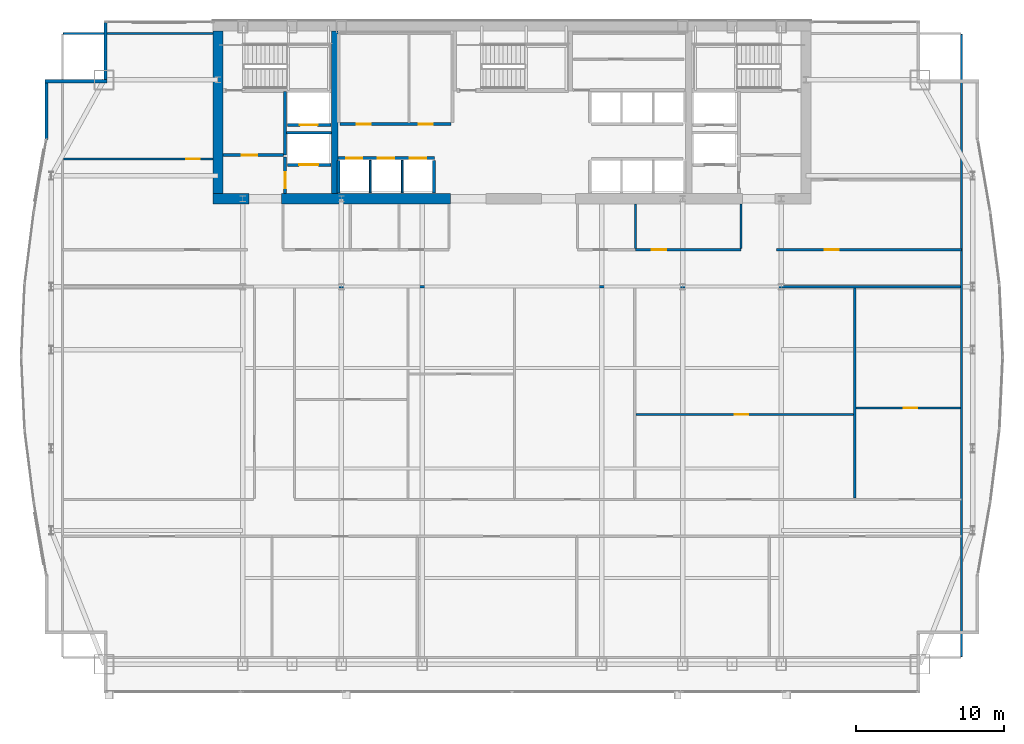
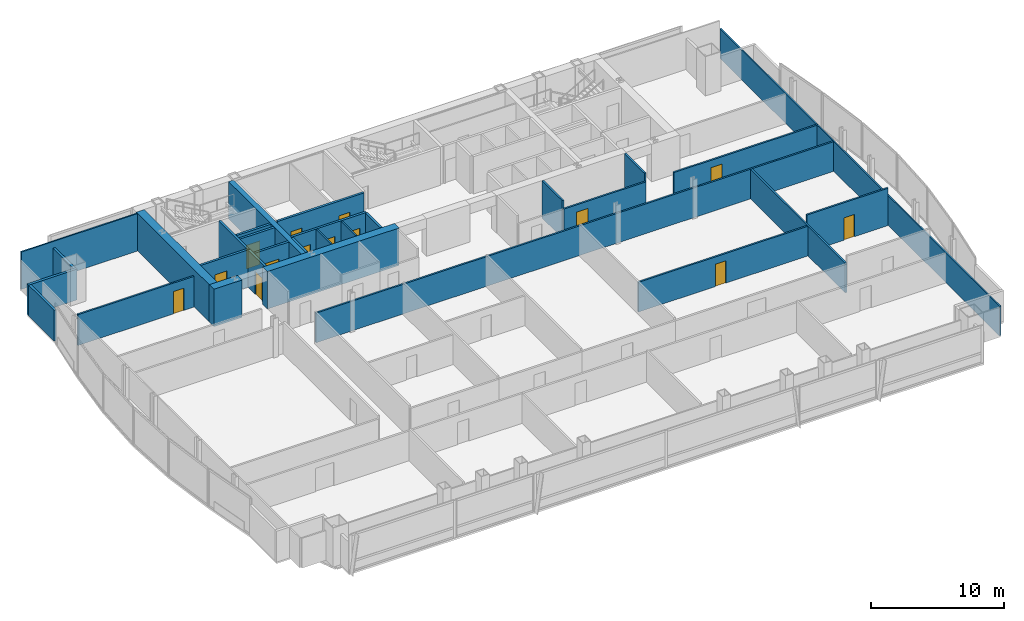
# One storey, part 25 of 29: 30 walls, 14 doors, 14 openings.
"""IFC4 building model written with IfcOpenShell, lengths in metres."""

from ifc_helpers import new_model, si_unit, direction, frame, frame_2d, origin, place, context, subcontext, project, spatial, rectangle, extrude, material, layer, layer_set, type_object, element, fill, save


model = new_model("IFC4")

# Units and contexts
model_context = context("Model", 3, precision=1e-05, world=origin(), true_north=direction((0.0, 1.0)))
body_context = subcontext(model_context, "Body", "Model", "MODEL_VIEW")
ifc_project = project(units=[si_unit("LENGTHUNIT", "METRE"), si_unit("AREAUNIT", "SQUARE_METRE"), si_unit("VOLUMEUNIT", "CUBIC_METRE"), si_unit("PLANEANGLEUNIT", "RADIAN"), si_unit("MASSUNIT", "GRAM", prefix="KILO")], contexts=[model_context])

# Site, building, storey
site_placement = place(None, origin())
site = spatial("IfcSite", under=ifc_project, at=site_placement, CompositionType="ELEMENT")
building_placement = place(site_placement, origin())
building = spatial("IfcBuilding", under=site, at=building_placement, Name="Khoronbel Lancet Exchange", CompositionType="ELEMENT")
storey_placement = place(building_placement, frame((0.0, 0.0, 150.60009765625)))
storey = spatial("IfcBuildingStorey", under=building, at=storey_placement, Name="L37", CompositionType="ELEMENT", Elevation=150.60009765625)

# Walls
ifc_material_1 = material(Name="Concrete C80/95", Category="concrete")
ifc_layer_1 = layer(ifc_material_1, 0.699951171875, Name="Concrete C80/95")
ifc_layer_set_1 = layer_set([ifc_layer_1], Name="Concrete C80/95")
wall_type_1 = type_object("IfcWallType", Name="WL-CW2", PredefinedType="SHEAR", material=ifc_layer_set_1)
wall_1_placement = place(storey_placement, frame((16.550048828125, 42.0, 0.0), z_axis=(0.0, 0.0, 1.0), x_axis=(0.0, 1.0, 0.0)))
element("IfcWall", 1, at=wall_1_placement, inside=storey, type_object=wall_type_1, Name="Level L37 rear core west shear wall", PredefinedType="SHEAR", context=body_context, shape_type="SweptSolid", body=[
    extrude(rectangle(XDim=11.0, YDim=0.699951171875, at=frame_2d((5.5, 0.0))), origin(), (0.0, 0.0, 1.0), 3.43994140625),
])
wall_2_placement = place(storey_placement, frame((18.64990234375, 41.64990234375, 0.0), z_axis=(0.0, 0.0, 1.0), x_axis=(-1.0, 0.0, 0.0)))
element("IfcWall", 2, at=wall_2_placement, inside=storey, type_object=wall_type_1, Name="Level L37 rear core south shear wall pier P1", PredefinedType="SHEAR", context=body_context, shape_type="SweptSolid", body=[
    extrude(rectangle(XDim=2.449951171875, YDim=0.699951171875, at=frame_2d((1.22509765625, 0.0))), origin(), (0.0, 0.0, 1.0), 3.43994140625),
])
wall_3_placement = place(storey_placement, frame((32.300048828125, 41.64990234375, 0.0), z_axis=(0.0, 0.0, 1.0), x_axis=(-1.0, 0.0, 0.0)))
element("IfcWall", 3, at=wall_3_placement, inside=storey, type_object=wall_type_1, Name="Level L37 rear core south shear wall pier P2", PredefinedType="SHEAR", context=body_context, shape_type="SweptSolid", body=[
    extrude(rectangle(XDim=11.449951171875, YDim=0.699951171875, at=frame_2d((5.72509765625, 0.0))), origin(), (0.0, 0.0, 1.0), 3.43994140625),
])
ifc_material_2 = material(Name="Precast concrete C40/50", Category="concrete")
ifc_layer_2 = layer(ifc_material_2, 0.25, Name="Precast concrete C40/50")
ifc_layer_set_2 = layer_set([ifc_layer_2], Name="Precast concrete C40/50")
wall_type_2 = type_object("IfcWallType", Name="WL-EXT250", PredefinedType="SOLIDWALL", material=ifc_layer_set_2)
wall_4_placement = place(storey_placement, frame((4.93994140625, 45.67236328125, 0.0), z_axis=(0.0, 0.0, 1.0), x_axis=(0.0, 1.0, 0.0)))
element("IfcWall", 4, at=wall_4_placement, inside=storey, type_object=wall_type_2, Name="Level L37 notched-corner limestone pier 10", PredefinedType="SOLIDWALL", context=body_context, shape_type="SweptSolid", body=[
    extrude(rectangle(XDim=3.82763671875, YDim=0.219970703125, at=frame_2d((1.913818359375, 0.0))), origin(), (0.0, 0.0, 1.0), 2.829833984375),
])
wall_5_placement = place(storey_placement, frame((4.830078125, 49.610107421875, 0.0), z_axis=(0.0, 0.0, 1.0), x_axis=(1.0, 0.0, 0.0)))
element("IfcWall", 5, at=wall_5_placement, inside=storey, type_object=wall_type_2, Name="Level L37 notched-corner limestone pier 11", PredefinedType="SOLIDWALL", context=body_context, shape_type="SweptSolid", body=[
    extrude(rectangle(XDim=4.219970703125, YDim=0.219970703125, at=frame_2d((2.10986328125, 0.0))), origin(), (0.0, 0.0, 1.0), 2.829833984375),
])
wall_6_placement = place(storey_placement, frame((8.93994140625, 49.719970703125, 0.0), z_axis=(0.0, 0.0, 1.0), x_axis=(0.0, 1.0, 0.0)))
element("IfcWall", 6, at=wall_6_placement, inside=storey, type_object=wall_type_2, Name="Level L37 notched-corner limestone pier 12", PredefinedType="SOLIDWALL", context=body_context, shape_type="SweptSolid", body=[
    extrude(rectangle(XDim=3.909912109375, YDim=0.219970703125, at=frame_2d((1.955078125, 0.0))), origin(), (0.0, 0.0, 1.0), 2.829833984375),
])
ifc_material_3 = material(Name="Acoustic Metal-Stud & Mineral-Wool Gypsum Partition 120 mm", Category="gypsum")
ifc_layer_3 = layer(ifc_material_3, 0.1201171875, Name="Acoustic Metal-Stud & Mineral-Wool Gypsum Partition 120 mm")
ifc_layer_set_3 = layer_set([ifc_layer_3], Name="Acoustic Metal-Stud & Mineral-Wool Gypsum Partition 120 mm")
wall_type_3 = type_object("IfcWallType", Name="WL-PRT120", PredefinedType="PARTITIONING", material=ifc_layer_set_3)
for number, where, z_axis, x_axis, name in (
    (7, (44.800048828125, 38.280029296875, 0.0), (0.0, 0.0, 1.0), (0.0, 1.0, 0.0), "Level L37 interior partition PW-NP-M"),
    (8, (51.949951171875, 38.280029296875, 0.0), (0.0, 0.0, 1.0), (0.0, 1.0, 0.0), "Level L37 interior partition PW-NP-1"),
):
    element("IfcWall", number, at=place(storey_placement, frame(where, z_axis=z_axis, x_axis=x_axis)), inside=storey, type_object=wall_type_3, Name=name, PredefinedType="PARTITIONING", context=body_context, shape_type="SweptSolid", body=[
        extrude(rectangle(XDim=3.02001953125, YDim=0.14990234375, at=frame_2d((1.510009765625, 0.0))), origin(), (0.0, 0.0, 1.0), 3.43994140625),
    ])

# Wall, opening, door
wall_7_placement = place(storey_placement, frame((6.094970703125, 44.35009765625, 0.0), z_axis=(0.0, 0.0, 1.0), x_axis=(1.0, 0.0, 0.0)))
wall_7 = element("IfcWall", 9, at=wall_7_placement, inside=storey, type_object=wall_type_3, Name="Level L37 interior partition PW-NW-H", PredefinedType="PARTITIONING", context=body_context, shape_type="SweptSolid", body=[
    extrude(rectangle(XDim=10.10498046875, YDim=0.14990234375, at=frame_2d((5.052490234375, 0.0))), origin(), (0.0, 0.0, 1.0), 2.829833984375),
])
opening_1_placement = place(wall_7_placement, frame((8.320068359375, 0.0, 0.0)))
opening_1 = element("IfcOpeningElement", 10, at=opening_1_placement, cuts=wall_7, Name="Opening D5", PredefinedType="OPENING", context=body_context, shape_type="SweptSolid", body=[
    extrude(rectangle(XDim=0.89990234375, YDim=2.050048828125, at=frame_2d((0.449951171875, 1.02490234375))), frame((0.0, 0.0849609375, 0.0), z_axis=(0.0, -1.0, 0.0), x_axis=(1.0, 0.0, 0.0)), (0.0, 0.0, 1.0), 0.169921875),
])
ifc_material_4 = material(Name="Acoustic Timber Pantry & Support Door", Category="wood")
door_type_1 = type_object("IfcDoorType", Name="DR-D5", OperationType="NOTDEFINED", PredefinedType="DOOR", material=ifc_material_4)
door_1_placement = place(opening_1_placement, origin())
door_1 = element("IfcDoor", 11, at=door_1_placement, inside=storey, type_object=door_type_1, Name="NW north room door L37-1", OperationType="SINGLE_SWING_RIGHT", OverallHeight=2.050048828125, OverallWidth=0.89990234375, PredefinedType="DOOR", context=body_context, shape_type="SweptSolid", body=[
    extrude(rectangle(XDim=0.89990234375, YDim=2.050048828125, at=frame_2d((0.449951171875, 1.02490234375))), frame((0.0, 0.02490234375, 0.0), z_axis=(0.0, -1.0, 0.0), x_axis=(1.0, 0.0, 0.0)), (0.0, 0.0, 1.0), 0.050048828125),
])
fill(opening_1, door_1)

wall_8_placement = place(storey_placement, frame((44.831298828125, 27.06005859375, 0.0), z_axis=(0.0, 0.0, 1.0), x_axis=(1.0, 0.0, 0.0)))
wall_8 = element("IfcWall", 12, at=wall_8_placement, inside=storey, type_object=wall_type_3, Name="Level L37 interior partition PW-Z2N-H4", PredefinedType="PARTITIONING", context=body_context, shape_type="SweptSolid", body=[
    extrude(rectangle(XDim=14.736328125, YDim=0.14990234375, at=frame_2d((7.3681640625, 0.0))), origin(), (0.0, 0.0, 1.0), 2.72998046875),
])
opening_2_placement = place(wall_8_placement, frame((6.703369140625, 0.0, 0.0)))
opening_2 = element("IfcOpeningElement", 13, at=opening_2_placement, cuts=wall_8, Name="Opening D5", PredefinedType="OPENING", context=body_context, shape_type="SweptSolid", body=[
    extrude(rectangle(XDim=0.89990234375, YDim=2.050048828125, at=frame_2d((0.449951171875, 1.02490234375))), frame((0.0, 0.0849609375, 0.0), z_axis=(0.0, -1.0, 0.0), x_axis=(1.0, 0.0, 0.0)), (0.0, 0.0, 1.0), 0.169921875),
])
door_2_placement = place(opening_2_placement, origin())
door_2 = element("IfcDoor", 14, at=door_2_placement, inside=storey, type_object=door_type_1, Name="Z2N inner door 4 L37-1", OperationType="SINGLE_SWING_RIGHT", OverallHeight=2.050048828125, OverallWidth=0.89990234375, PredefinedType="DOOR", context=body_context, shape_type="SweptSolid", body=[
    extrude(rectangle(XDim=0.89990234375, YDim=2.050048828125, at=frame_2d((0.449951171875, 1.02490234375))), frame((0.0, 0.02490234375, 0.0), z_axis=(0.0, -1.0, 0.0), x_axis=(1.0, 0.0, 0.0)), (0.0, 0.0, 1.0), 0.050048828125),
])
fill(opening_2, door_2)

wall_9_placement = place(storey_placement, frame((59.7275390625, 27.491943359375, 0.0), z_axis=(0.0, 0.0, 1.0), x_axis=(1.0, 0.0, 0.0)))
wall_9 = element("IfcWall", 15, at=wall_9_placement, inside=storey, type_object=wall_type_3, Name="Level L37 interior partition PW-Z2N-H5", PredefinedType="PARTITIONING", context=body_context, shape_type="SweptSolid", body=[
    extrude(rectangle(XDim=7.077392578125, YDim=0.14990234375, at=frame_2d((3.53857421875, 0.0))), origin(), (0.0, 0.0, 1.0), 3.43994140625),
])
opening_3_placement = place(wall_9_placement, frame((3.25, 0.0, 0.0)))
opening_3 = element("IfcOpeningElement", 16, at=opening_3_placement, cuts=wall_9, Name="Opening D5", PredefinedType="OPENING", context=body_context, shape_type="SweptSolid", body=[
    extrude(rectangle(XDim=0.89990234375, YDim=2.050048828125, at=frame_2d((0.449951171875, 1.02490234375))), frame((0.0, 0.0849609375, 0.0), z_axis=(0.0, -1.0, 0.0), x_axis=(1.0, 0.0, 0.0)), (0.0, 0.0, 1.0), 0.169921875),
])
door_3_placement = place(opening_3_placement, origin())
door_3 = element("IfcDoor", 17, at=door_3_placement, inside=storey, type_object=door_type_1, Name="Z2N inner door 5 L37-1", OperationType="SINGLE_SWING_RIGHT", OverallHeight=2.050048828125, OverallWidth=0.89990234375, PredefinedType="DOOR", context=body_context, shape_type="SweptSolid", body=[
    extrude(rectangle(XDim=0.89990234375, YDim=2.050048828125, at=frame_2d((0.449951171875, 1.02490234375))), frame((0.0, 0.02490234375, 0.0), z_axis=(0.0, -1.0, 0.0), x_axis=(1.0, 0.0, 0.0)), (0.0, 0.0, 1.0), 0.050048828125),
])
fill(opening_3, door_3)

# Walls
wall_10_placement = place(storey_placement, frame((66.8701171875, 10.6650390625, 0.0), z_axis=(0.0, 0.0, 1.0), x_axis=(0.0, 1.0, 0.0)))
element("IfcWall", 18, at=wall_10_placement, inside=storey, type_object=wall_type_3, Name="Level L37 interior partition PW-LIN-E", PredefinedType="PARTITIONING", context=body_context, shape_type="SweptSolid", body=[
    extrude(rectangle(XDim=42.10986328125, YDim=0.1201171875, at=frame_2d((21.054931640625, 0.0))), origin(), (0.0, 0.0, 1.0), 2.72998046875),
])
wall_11_placement = place(storey_placement, frame((6.094970703125, 52.840087890625, 0.0), z_axis=(0.0, 0.0, 1.0), x_axis=(1.0, 0.0, 0.0)))
element("IfcWall", 19, at=wall_11_placement, inside=storey, type_object=wall_type_3, Name="Level L37 interior partition PW-LIN-NW", PredefinedType="PARTITIONING", context=body_context, shape_type="SweptSolid", body=[
    extrude(rectangle(XDim=10.10498046875, YDim=0.1201171875, at=frame_2d((5.052490234375, 0.0))), origin(), (0.0, 0.0, 1.0), 3.43994140625),
])
ifc_material_5 = material(Name="Fire-Rated Metal-Stud & Mineral-Wool Gypsum Partition 120 mm", Category="gypsum")
ifc_layer_4 = layer(ifc_material_5, 0.1201171875, Name="Fire-Rated Metal-Stud & Mineral-Wool Gypsum Partition 120 mm")
ifc_layer_set_4 = layer_set([ifc_layer_4], Name="Fire-Rated Metal-Stud & Mineral-Wool Gypsum Partition 120 mm")
wall_type_4 = type_object("IfcWallType", Name="WL-PRT120F", PredefinedType="PARTITIONING", material=ifc_layer_set_4)
for number, where, z_axis, x_axis, name in (
    (20, (26.860107421875, 42.050048828125, 0.0), (0.0, 0.0, 1.0), (0.0, 1.0, 0.0), "Level L37 interior partition CW-PM-D1"),
    (21, (29.02001953125, 42.050048828125, 0.0), (0.0, 0.0, 1.0), (0.0, 1.0, 0.0), "Level L37 interior partition CW-PM-D2"),
):
    element("IfcWall", number, at=place(storey_placement, frame(where, z_axis=z_axis, x_axis=x_axis)), inside=storey, type_object=wall_type_4, Name=name, PredefinedType="PARTITIONING", context=body_context, shape_type="SweptSolid", body=[
        extrude(rectangle(XDim=2.199951171875, YDim=0.1201171875, at=frame_2d((1.10009765625, 0.0))), origin(), (0.0, 0.0, 1.0), 3.43994140625),
    ])

# Wall, opening, door
ifc_material_6 = material(Name="Fire-Rated Twin-Stud Acoustic Gypsum Partition 150 mm", Category="gypsum")
ifc_layer_5 = layer(ifc_material_6, 0.14990234375, Name="Fire-Rated Twin-Stud Acoustic Gypsum Partition 150 mm")
ifc_layer_set_5 = layer_set([ifc_layer_5], Name="Fire-Rated Twin-Stud Acoustic Gypsum Partition 150 mm")
wall_type_5 = type_object("IfcWallType", Name="WL-PRT150C", PredefinedType="PARTITIONING", material=ifc_layer_set_5)
wall_12_placement = place(storey_placement, frame((44.800048828125, 38.199951171875, 0.0), z_axis=(0.0, 0.0, 1.0), x_axis=(1.0, 0.0, 0.0)))
wall_12 = element("IfcWall", 22, at=wall_12_placement, inside=storey, type_object=wall_type_5, Name="Level L37 interior partition PW-NP-S2", PredefinedType="PARTITIONING", context=body_context, shape_type="SweptSolid", body=[
    extrude(rectangle(XDim=7.14990234375, YDim=0.14990234375, at=frame_2d((3.574951171875, 0.0))), origin(), (0.0, 0.0, 1.0), 2.72998046875),
])
opening_4_placement = place(wall_12_placement, frame((1.10009765625, 0.0, 0.0)))
opening_4 = element("IfcOpeningElement", 23, at=opening_4_placement, cuts=wall_12, Name="Opening D2", PredefinedType="OPENING", context=body_context, shape_type="SweptSolid", body=[
    extrude(rectangle(XDim=1.0, YDim=2.050048828125, at=frame_2d((0.5, 1.02490234375))), frame((0.0, 0.0849609375, 0.0), z_axis=(0.0, -1.0, 0.0), x_axis=(1.0, 0.0, 0.0)), (0.0, 0.0, 1.0), 0.169921875),
])
ifc_material_7 = material(Name="Acoustic Veneered Timber & Bronze Frame Door", Category="wood")
door_type_2 = type_object("IfcDoorType", Name="DR-D2", OperationType="NOTDEFINED", PredefinedType="DOOR", material=ifc_material_7)
door_4_placement = place(opening_4_placement, origin())
door_4 = element("IfcDoor", 24, at=door_4_placement, inside=storey, type_object=door_type_2, Name="Floor store door L37-1", OperationType="SINGLE_SWING_LEFT", OverallHeight=2.050048828125, OverallWidth=1.0, PredefinedType="DOOR", context=body_context, shape_type="SweptSolid", body=[
    extrude(rectangle(XDim=1.0, YDim=2.050048828125, at=frame_2d((0.5, 1.02490234375))), frame((0.0, 0.02490234375, 0.0), z_axis=(0.0, -1.0, 0.0), x_axis=(1.0, 0.0, 0.0)), (0.0, 0.0, 1.0), 0.050048828125),
])
fill(opening_4, door_4)

wall_13_placement = place(storey_placement, frame((54.35009765625, 38.199951171875, 0.0), z_axis=(0.0, 0.0, 1.0), x_axis=(1.0, 0.0, 0.0)))
wall_13 = element("IfcWall", 25, at=wall_13_placement, inside=storey, type_object=wall_type_5, Name="Level L37 interior partition PW-NE-S", PredefinedType="PARTITIONING", context=body_context, shape_type="SweptSolid", body=[
    extrude(rectangle(XDim=12.52001953125, YDim=0.14990234375, at=frame_2d((6.260009765625, 0.0))), origin(), (0.0, 0.0, 1.0), 2.72998046875),
])
opening_5_placement = place(wall_13_placement, frame((3.25, 0.0, 0.0)))
opening_5 = element("IfcOpeningElement", 26, at=opening_5_placement, cuts=wall_13, Name="Opening D1", PredefinedType="OPENING", context=body_context, shape_type="SweptSolid", body=[
    extrude(rectangle(XDim=0.949951171875, YDim=2.050048828125, at=frame_2d((0.47509765625, 1.02490234375))), frame((0.0, 0.0849609375, 0.0), z_axis=(0.0, -1.0, 0.0), x_axis=(1.0, 0.0, 0.0)), (0.0, 0.0, 1.0), 0.169921875),
])
door_type_3 = type_object("IfcDoorType", Name="DR-D1", OperationType="NOTDEFINED", PredefinedType="DOOR", material=ifc_material_7)
door_5_placement = place(opening_5_placement, origin())
door_5 = element("IfcDoor", 27, at=door_5_placement, inside=storey, type_object=door_type_3, Name="NE corner room door L37-1", OperationType="SINGLE_SWING_LEFT", OverallHeight=2.050048828125, OverallWidth=0.949951171875, PredefinedType="DOOR", context=body_context, shape_type="SweptSolid", body=[
    extrude(rectangle(XDim=0.949951171875, YDim=2.050048828125, at=frame_2d((0.47509765625, 1.02490234375))), frame((0.0, 0.02490234375, 0.0), z_axis=(0.0, -1.0, 0.0), x_axis=(1.0, 0.0, 0.0)), (0.0, 0.0, 1.0), 0.050048828125),
])
fill(opening_5, door_5)

# Walls
wall_14_placement = place(storey_placement, frame((21.81005859375, 35.699951171875, 0.0), z_axis=(0.0, 0.0, 1.0), x_axis=(1.0, 0.0, 0.0)))
element("IfcWall", 28, at=wall_14_placement, inside=storey, type_object=wall_type_5, Name="Level L37 interior partition PW-Z2-EN", PredefinedType="PARTITIONING", context=body_context, shape_type="SweptSolid", body=[
    extrude(rectangle(XDim=44.994873046875, YDim=0.14990234375, at=frame_2d((22.49755859375, 0.0))), origin(), (0.0, 0.0, 1.0), 2.72998046875),
])
wall_15_placement = place(storey_placement, frame((59.647705078125, 21.385009765625, 0.0), z_axis=(0.0, 0.0, 1.0), x_axis=(0.0, 1.0, 0.0)))
element("IfcWall", 29, at=wall_15_placement, inside=storey, type_object=wall_type_5, Name="Level L37 interior partition PW-Z2N-V4", PredefinedType="PARTITIONING", context=body_context, shape_type="SweptSolid", body=[
    extrude(rectangle(XDim=14.235107421875, YDim=0.14990234375, at=frame_2d((7.11767578125, 0.0))), origin(), (0.0, 0.0, 1.0), 2.72998046875),
])

# Wall, openings, doors
ifc_material_8 = material(Name="Autoclaved Aerated Concrete Blockwork 200 mm", Category="masonry")
ifc_layer_6 = layer(ifc_material_8, 0.199951171875, Name="Autoclaved Aerated Concrete Blockwork 200 mm")
ifc_layer_set_6 = layer_set([ifc_layer_6], Name="Autoclaved Aerated Concrete Blockwork 200 mm")
wall_type_6 = type_object("IfcWallType", Name="WL-PRT200", PredefinedType="PARTITIONING", material=ifc_layer_set_6)
wall_16_placement = place(storey_placement, frame((24.68994140625, 44.39990234375, 0.0), z_axis=(0.0, 0.0, 1.0), x_axis=(1.0, 0.0, 0.0)))
wall_16 = element("IfcWall", 30, at=wall_16_placement, inside=storey, type_object=wall_type_6, Name="Level L37 elevator hoistway landing front wall PMW", PredefinedType="PARTITIONING", context=body_context, shape_type="SweptSolid", body=[
    extrude(rectangle(XDim=6.530029296875, YDim=0.199951171875, at=frame_2d((3.26513671875, 0.0))), origin(), (0.0, 0.0, 1.0), 3.43994140625),
])
opening_6_placement = place(wall_16_placement, frame((0.530029296875, 0.0, 0.0)))
opening_6 = element("IfcOpeningElement", 31, at=opening_6_placement, cuts=wall_16, Name="Opening LD-PM1", PredefinedType="OPENING", context=body_context, shape_type="SweptSolid", body=[
    extrude(rectangle(XDim=1.10009765625, YDim=2.179931640625, at=frame_2d((0.550048828125, 1.08984375))), frame((0.0, 0.10986328125, 0.0), z_axis=(0.0, -1.0, 0.0), x_axis=(1.0, 0.0, 0.0)), (0.0, 0.0, 1.0), 0.219970703125),
])
opening_7_placement = place(wall_16_placement, frame((2.68994140625, 0.0, 0.0)))
opening_7 = element("IfcOpeningElement", 32, at=opening_7_placement, cuts=wall_16, Name="Opening LD-PM2", PredefinedType="OPENING", context=body_context, shape_type="SweptSolid", body=[
    extrude(rectangle(XDim=1.10009765625, YDim=2.179931640625, at=frame_2d((0.550048828125, 1.08984375))), frame((0.0, 0.10986328125, 0.0), z_axis=(0.0, -1.0, 0.0), x_axis=(1.0, 0.0, 0.0)), (0.0, 0.0, 1.0), 0.219970703125),
])
opening_8_placement = place(wall_16_placement, frame((4.85009765625, 0.0, 0.0)))
opening_8 = element("IfcOpeningElement", 33, at=opening_8_placement, cuts=wall_16, Name="Opening LD-PM3", PredefinedType="OPENING", context=body_context, shape_type="SweptSolid", body=[
    extrude(rectangle(XDim=1.10009765625, YDim=2.179931640625, at=frame_2d((0.550048828125, 1.08984375))), frame((0.0, 0.10986328125, 0.0), z_axis=(0.0, -1.0, 0.0), x_axis=(1.0, 0.0, 0.0)), (0.0, 0.0, 1.0), 0.219970703125),
])
ifc_material_9 = material(Name="Brushed Bronze Bi-Parting Elevator Landing Door", Category="steel")
door_type_4 = type_object("IfcDoorType", Name="DR-LD-PAX", OperationType="NOTDEFINED", PredefinedType="DOOR", material=ifc_material_9)
door_6_placement = place(opening_6_placement, origin())
door_6 = element("IfcDoor", 34, at=door_6_placement, inside=storey, type_object=door_type_4, Name="Elevator landing sliding door LD-PM1 L37", OperationType="SLIDING_TO_LEFT", OverallHeight=2.179931640625, OverallWidth=1.10009765625, PredefinedType="DOOR", context=body_context, shape_type="SweptSolid", body=[
    extrude(rectangle(XDim=1.10009765625, YDim=2.179931640625, at=frame_2d((0.550048828125, 1.08984375))), frame((0.0, 0.02490234375, 0.0), z_axis=(0.0, -1.0, 0.0), x_axis=(1.0, 0.0, 0.0)), (0.0, 0.0, 1.0), 0.050048828125),
])
fill(opening_6, door_6)
door_7_placement = place(opening_7_placement, origin())
door_7 = element("IfcDoor", 35, at=door_7_placement, inside=storey, type_object=door_type_4, Name="Elevator landing sliding door LD-PM2 L37", OperationType="SLIDING_TO_LEFT", OverallHeight=2.179931640625, OverallWidth=1.10009765625, PredefinedType="DOOR", context=body_context, shape_type="SweptSolid", body=[
    extrude(rectangle(XDim=1.10009765625, YDim=2.179931640625, at=frame_2d((0.550048828125, 1.08984375))), frame((0.0, 0.02490234375, 0.0), z_axis=(0.0, -1.0, 0.0), x_axis=(1.0, 0.0, 0.0)), (0.0, 0.0, 1.0), 0.050048828125),
])
fill(opening_7, door_7)
door_8_placement = place(opening_8_placement, origin())
door_8 = element("IfcDoor", 36, at=door_8_placement, inside=storey, type_object=door_type_4, Name="Elevator landing sliding door LD-PM3 L37", OperationType="SLIDING_TO_LEFT", OverallHeight=2.179931640625, OverallWidth=1.10009765625, PredefinedType="DOOR", context=body_context, shape_type="SweptSolid", body=[
    extrude(rectangle(XDim=1.10009765625, YDim=2.179931640625, at=frame_2d((0.550048828125, 1.08984375))), frame((0.0, 0.02490234375, 0.0), z_axis=(0.0, -1.0, 0.0), x_axis=(1.0, 0.0, 0.0)), (0.0, 0.0, 1.0), 0.050048828125),
])
fill(opening_8, door_8)

# Wall, opening, door
wall_17_placement = place(storey_placement, frame((24.2099609375, 43.949951171875, 0.0), z_axis=(0.0, 0.0, 1.0), x_axis=(-1.0, 0.0, 0.0)))
wall_17 = element("IfcWall", 37, at=wall_17_placement, inside=storey, type_object=wall_type_6, Name="Level L37 elevator hoistway landing front wall SVLW", PredefinedType="PARTITIONING", context=body_context, shape_type="SweptSolid", body=[
    extrude(rectangle(XDim=2.969970703125, YDim=0.199951171875, at=frame_2d((1.48486328125, 0.0))), origin(), (0.0, 0.0, 1.0), 3.43994140625),
])
opening_9_placement = place(wall_17_placement, frame((0.860107421875, 0.0, 0.0)))
opening_9 = element("IfcOpeningElement", 38, at=opening_9_placement, cuts=wall_17, Name="Opening LD-SVL1", PredefinedType="OPENING", context=body_context, shape_type="SweptSolid", body=[
    extrude(rectangle(XDim=1.300048828125, YDim=2.179931640625, at=frame_2d((0.64990234375, 1.08984375))), frame((0.0, 0.10986328125, 0.0), z_axis=(0.0, -1.0, 0.0), x_axis=(1.0, 0.0, 0.0)), (0.0, 0.0, 1.0), 0.219970703125),
])
ifc_material_10 = material(Name="Heavy-Duty Bi-Parting Goods Lift Landing Door", Category="steel")
door_type_5 = type_object("IfcDoorType", Name="DR-LD-SVL", OperationType="NOTDEFINED", PredefinedType="DOOR", material=ifc_material_10)
door_9_placement = place(opening_9_placement, origin())
door_9 = element("IfcDoor", 39, at=door_9_placement, inside=storey, type_object=door_type_5, Name="Elevator landing sliding door LD-SVL1 L37", OperationType="SLIDING_TO_LEFT", OverallHeight=2.179931640625, OverallWidth=1.300048828125, PredefinedType="DOOR", context=body_context, shape_type="SweptSolid", body=[
    extrude(rectangle(XDim=1.300048828125, YDim=2.179931640625, at=frame_2d((0.64990234375, 1.08984375))), frame((0.0, 0.02490234375, 0.0), z_axis=(0.0, -1.0, 0.0), x_axis=(1.0, 0.0, 0.0)), (0.0, 0.0, 1.0), 0.050048828125),
])
fill(opening_9, door_9)

wall_18_placement = place(storey_placement, frame((24.2099609375, 46.64990234375, 0.0), z_axis=(0.0, 0.0, 1.0), x_axis=(-1.0, 0.0, 0.0)))
wall_18 = element("IfcWall", 40, at=wall_18_placement, inside=storey, type_object=wall_type_6, Name="Level L37 elevator hoistway landing front wall FFLW", PredefinedType="PARTITIONING", context=body_context, shape_type="SweptSolid", body=[
    extrude(rectangle(XDim=2.969970703125, YDim=0.199951171875, at=frame_2d((1.48486328125, 0.0))), origin(), (0.0, 0.0, 1.0), 3.43994140625),
])
opening_10_placement = place(wall_18_placement, frame((0.909912109375, 0.0, 0.0)))
opening_10 = element("IfcOpeningElement", 41, at=opening_10_placement, cuts=wall_18, Name="Opening LD-FFL1", PredefinedType="OPENING", context=body_context, shape_type="SweptSolid", body=[
    extrude(rectangle(XDim=1.199951171875, YDim=2.179931640625, at=frame_2d((0.60009765625, 1.08984375))), frame((0.0, 0.10986328125, 0.0), z_axis=(0.0, -1.0, 0.0), x_axis=(1.0, 0.0, 0.0)), (0.0, 0.0, 1.0), 0.219970703125),
])
ifc_material_11 = material(Name="Fire-Rated Stainless Bi-Parting Firefighting Lift Door", Category="steel")
door_type_6 = type_object("IfcDoorType", Name="DR-LD-FFL", OperationType="NOTDEFINED", PredefinedType="DOOR", material=ifc_material_11)
door_10_placement = place(opening_10_placement, origin())
door_10 = element("IfcDoor", 42, at=door_10_placement, inside=storey, type_object=door_type_6, Name="Elevator landing sliding door LD-FFL1 L37", OperationType="SLIDING_TO_LEFT", OverallHeight=2.179931640625, OverallWidth=1.199951171875, PredefinedType="DOOR", context=body_context, shape_type="SweptSolid", body=[
    extrude(rectangle(XDim=1.199951171875, YDim=2.179931640625, at=frame_2d((0.60009765625, 1.08984375))), frame((0.0, 0.02490234375, 0.0), z_axis=(0.0, -1.0, 0.0), x_axis=(1.0, 0.0, 0.0)), (0.0, 0.0, 1.0), 0.050048828125),
])
fill(opening_10, door_10)

# Wall
wall_19_placement = place(storey_placement, frame((21.10009765625, 44.60009765625, 0.0), z_axis=(0.0, 0.0, 1.0), x_axis=(0.0, 1.0, 0.0)))
element("IfcWall", 43, at=wall_19_placement, inside=storey, type_object=wall_type_6, Name="Level L37 interior partition CW-FFLW-E", PredefinedType="PARTITIONING", context=body_context, shape_type="SweptSolid", body=[
    extrude(rectangle(XDim=4.2998046875, YDim=0.199951171875, at=frame_2d((2.14990234375, 0.0))), origin(), (0.0, 0.0, 1.0), 3.43994140625),
])

# Wall, opening, door
wall_20_placement = place(storey_placement, frame((16.89990234375, 44.60009765625, 0.0), z_axis=(0.0, 0.0, 1.0), x_axis=(1.0, 0.0, 0.0)))
wall_20 = element("IfcWall", 44, at=wall_20_placement, inside=storey, type_object=wall_type_6, Name="Level L37 interior partition CW-FFLW-S", PredefinedType="PARTITIONING", context=body_context, shape_type="SweptSolid", body=[
    extrude(rectangle(XDim=4.10009765625, YDim=0.199951171875, at=frame_2d((2.050048828125, 0.0))), origin(), (0.0, 0.0, 1.0), 3.43994140625),
])
opening_11_placement = place(wall_20_placement, frame((1.25, 0.0, 0.0)))
opening_11 = element("IfcOpeningElement", 45, at=opening_11_placement, cuts=wall_20, Name="Opening FD1", PredefinedType="OPENING", context=body_context, shape_type="SweptSolid", body=[
    extrude(rectangle(XDim=1.050048828125, YDim=2.14990234375, at=frame_2d((0.52490234375, 1.074951171875))), frame((0.0, 0.10986328125, 0.0), z_axis=(0.0, -1.0, 0.0), x_axis=(1.0, 0.0, 0.0)), (0.0, 0.0, 1.0), 0.219970703125),
])
ifc_material_12 = material(Name="Fire-Rated Painted Steel Door Assembly", Category="steel")
door_type_7 = type_object("IfcDoorType", Name="DR-FD1", OperationType="NOTDEFINED", PredefinedType="DOOR", material=ifc_material_12)
door_11_placement = place(opening_11_placement, origin())
door_11 = element("IfcDoor", 46, at=door_11_placement, inside=storey, type_object=door_type_7, Name="West firefighting lobby FD90S door L37-1", OperationType="SINGLE_SWING_LEFT", OverallHeight=2.14990234375, OverallWidth=1.050048828125, PredefinedType="DOOR", context=body_context, shape_type="SweptSolid", body=[
    extrude(rectangle(XDim=1.050048828125, YDim=2.14990234375, at=frame_2d((0.52490234375, 1.074951171875))), frame((0.0, 0.02490234375, 0.0), z_axis=(0.0, -1.0, 0.0), x_axis=(1.0, 0.0, 0.0)), (0.0, 0.0, 1.0), 0.050048828125),
])
fill(opening_11, door_11)

# Wall
wall_21_placement = place(storey_placement, frame((21.199951171875, 46.1201171875, 0.0), z_axis=(0.0, 0.0, 1.0), x_axis=(1.0, 0.0, 0.0)))
element("IfcWall", 47, at=wall_21_placement, inside=storey, type_object=wall_type_6, Name="Level L37 interior partition CW-FFL1-S", PredefinedType="PARTITIONING", context=body_context, shape_type="SweptSolid", body=[
    extrude(rectangle(XDim=3.02001953125, YDim=0.199951171875, at=frame_2d((1.510009765625, 0.0))), origin(), (0.0, 0.0, 1.0), 3.43994140625),
])

# Wall, opening, door
wall_22_placement = place(storey_placement, frame((21.10009765625, 42.0, 0.0), z_axis=(0.0, 0.0, 1.0), x_axis=(0.0, 1.0, 0.0)))
wall_22 = element("IfcWall", 48, at=wall_22_placement, inside=storey, type_object=wall_type_6, Name="Level L37 interior partition CW-SVLW-W", PredefinedType="PARTITIONING", context=body_context, shape_type="SweptSolid", body=[
    extrude(rectangle(XDim=2.4951171875, YDim=0.199951171875, at=frame_2d((1.24755859375, 0.0))), origin(), (0.0, 0.0, 1.0), 3.43994140625),
])
opening_12_placement = place(wall_22_placement, frame((0.3798828125, 0.0, 0.0)))
opening_12 = element("IfcOpeningElement", 49, at=opening_12_placement, cuts=wall_22, Name="Opening FD1", PredefinedType="OPENING", context=body_context, shape_type="SweptSolid", body=[
    extrude(rectangle(XDim=1.050048828125, YDim=2.14990234375, at=frame_2d((0.52490234375, 1.074951171875))), frame((0.0, 0.10986328125, 0.0), z_axis=(0.0, -1.0, 0.0), x_axis=(1.0, 0.0, 0.0)), (0.0, 0.0, 1.0), 0.219970703125),
])
door_12_placement = place(opening_12_placement, origin())
door_12 = element("IfcDoor", 50, at=door_12_placement, inside=storey, type_object=door_type_7, Name="West service lift lobby door L37-1", OperationType="SINGLE_SWING_RIGHT", OverallHeight=2.14990234375, OverallWidth=1.050048828125, PredefinedType="DOOR", context=body_context, shape_type="SweptSolid", body=[
    extrude(rectangle(XDim=1.050048828125, YDim=2.14990234375, at=frame_2d((0.52490234375, 1.074951171875))), frame((0.0, 0.02490234375, 0.0), z_axis=(0.0, -1.0, 0.0), x_axis=(1.0, 0.0, 0.0)), (0.0, 0.0, 1.0), 0.050048828125),
])
fill(opening_12, door_12)

# Wall, openings, doors
wall_23_placement = place(storey_placement, frame((24.804931640625, 46.699951171875, 0.0), z_axis=(0.0, 0.0, 1.0), x_axis=(1.0, 0.0, 0.0)))
wall_23 = element("IfcWall", 51, at=wall_23_placement, inside=storey, type_object=wall_type_6, Name="Level L37 interior partition CW-PL-RF", PredefinedType="PARTITIONING", context=body_context, shape_type="SweptSolid", body=[
    extrude(rectangle(XDim=7.510009765625, YDim=0.199951171875, at=frame_2d((3.7548828125, 0.0))), origin(), (0.0, 0.0, 1.0), 3.43994140625),
])
opening_13_placement = place(wall_23_placement, frame((1.14990234375, 0.0, 0.0)))
opening_13 = element("IfcOpeningElement", 52, at=opening_13_placement, cuts=wall_23, Name="Opening FD3", PredefinedType="OPENING", context=body_context, shape_type="SweptSolid", body=[
    extrude(rectangle(XDim=0.949951171875, YDim=2.10009765625, at=frame_2d((0.47509765625, 1.050048828125))), frame((0.0, 0.10986328125, 0.0), z_axis=(0.0, -1.0, 0.0), x_axis=(1.0, 0.0, 0.0)), (0.0, 0.0, 1.0), 0.219970703125),
])
opening_14_placement = place(wall_23_placement, frame((5.33642578125, 0.0, 0.0)))
opening_14 = element("IfcOpeningElement", 53, at=opening_14_placement, cuts=wall_23, Name="Opening FD3", PredefinedType="OPENING", context=body_context, shape_type="SweptSolid", body=[
    extrude(rectangle(XDim=0.949951171875, YDim=2.10009765625, at=frame_2d((0.47509765625, 1.050048828125))), frame((0.0, 0.10986328125, 0.0), z_axis=(0.0, -1.0, 0.0), x_axis=(1.0, 0.0, 0.0)), (0.0, 0.0, 1.0), 0.219970703125),
])
ifc_material_13 = material(Name="Fire-Rated Steel Plant & Riser Door Assembly", Category="steel")
door_type_8 = type_object("IfcDoorType", Name="DR-FD3", OperationType="NOTDEFINED", PredefinedType="DOOR", material=ifc_material_13)
door_13_placement = place(opening_13_placement, origin())
door_13 = element("IfcDoor", 54, at=door_13_placement, inside=storey, type_object=door_type_8, Name="Reclaimed PL C door L37-1", OperationType="SINGLE_SWING_LEFT", OverallHeight=2.10009765625, OverallWidth=0.949951171875, PredefinedType="DOOR", context=body_context, shape_type="SweptSolid", body=[
    extrude(rectangle(XDim=0.949951171875, YDim=2.10009765625, at=frame_2d((0.47509765625, 1.050048828125))), frame((0.0, 0.02490234375, 0.0), z_axis=(0.0, -1.0, 0.0), x_axis=(1.0, 0.0, 0.0)), (0.0, 0.0, 1.0), 0.050048828125),
])
fill(opening_13, door_13)
door_14_placement = place(opening_14_placement, origin())
door_14 = element("IfcDoor", 55, at=door_14_placement, inside=storey, type_object=door_type_8, Name="Reclaimed PL D door L37-2", OperationType="SINGLE_SWING_RIGHT", OverallHeight=2.10009765625, OverallWidth=0.949951171875, PredefinedType="DOOR", context=body_context, shape_type="SweptSolid", body=[
    extrude(rectangle(XDim=0.949951171875, YDim=2.10009765625, at=frame_2d((0.47509765625, 1.050048828125))), frame((0.0, 0.02490234375, 0.0), z_axis=(0.0, -1.0, 0.0), x_axis=(1.0, 0.0, 0.0)), (0.0, 0.0, 1.0), 0.050048828125),
])
fill(opening_14, door_14)

# Walls
for number, where, z_axis, x_axis, name in (
    (56, (24.699951171875, 42.050048828125, 0.0), (0.0, 0.0, 1.0), (0.0, 1.0, 0.0), "Level L37 interior partition CW-PM-W"),
    (57, (31.179931640625, 42.050048828125, 0.0), (0.0, 0.0, 1.0), (0.0, 1.0, 0.0), "Level L37 interior partition CW-PM-E"),
):
    element("IfcWall", number, at=place(storey_placement, frame(where, z_axis=z_axis, x_axis=x_axis)), inside=storey, type_object=wall_type_6, Name=name, PredefinedType="PARTITIONING", context=body_context, shape_type="SweptSolid", body=[
        extrude(rectangle(XDim=2.199951171875, YDim=0.199951171875, at=frame_2d((1.10009765625, 0.0))), origin(), (0.0, 0.0, 1.0), 3.43994140625),
    ])
ifc_layer_7 = layer(ifc_material_1, 0.449951171875, Name="Concrete C80/95")
ifc_layer_set_7 = layer_set([ifc_layer_7], Name="Concrete C80/95")
wall_type_7 = type_object("IfcWallType", Name="WL-SW1", PredefinedType="SHEAR", material=ifc_layer_set_7)
wall_24_placement = place(storey_placement, frame((24.449951171875, 42.0, 0.0), z_axis=(0.0, 0.0, 1.0), x_axis=(0.0, 1.0, 0.0)))
element("IfcWall", 58, at=wall_24_placement, inside=storey, type_object=wall_type_7, Name="Level L37 rear core internal spine shear wall IW", PredefinedType="SHEAR", context=body_context, shape_type="SweptSolid", body=[
    extrude(rectangle(XDim=11.0, YDim=0.449951171875, at=frame_2d((5.5, 0.0))), origin(), (0.0, 0.0, 1.0), 3.43994140625),
])

save(model, "model.ifc")
